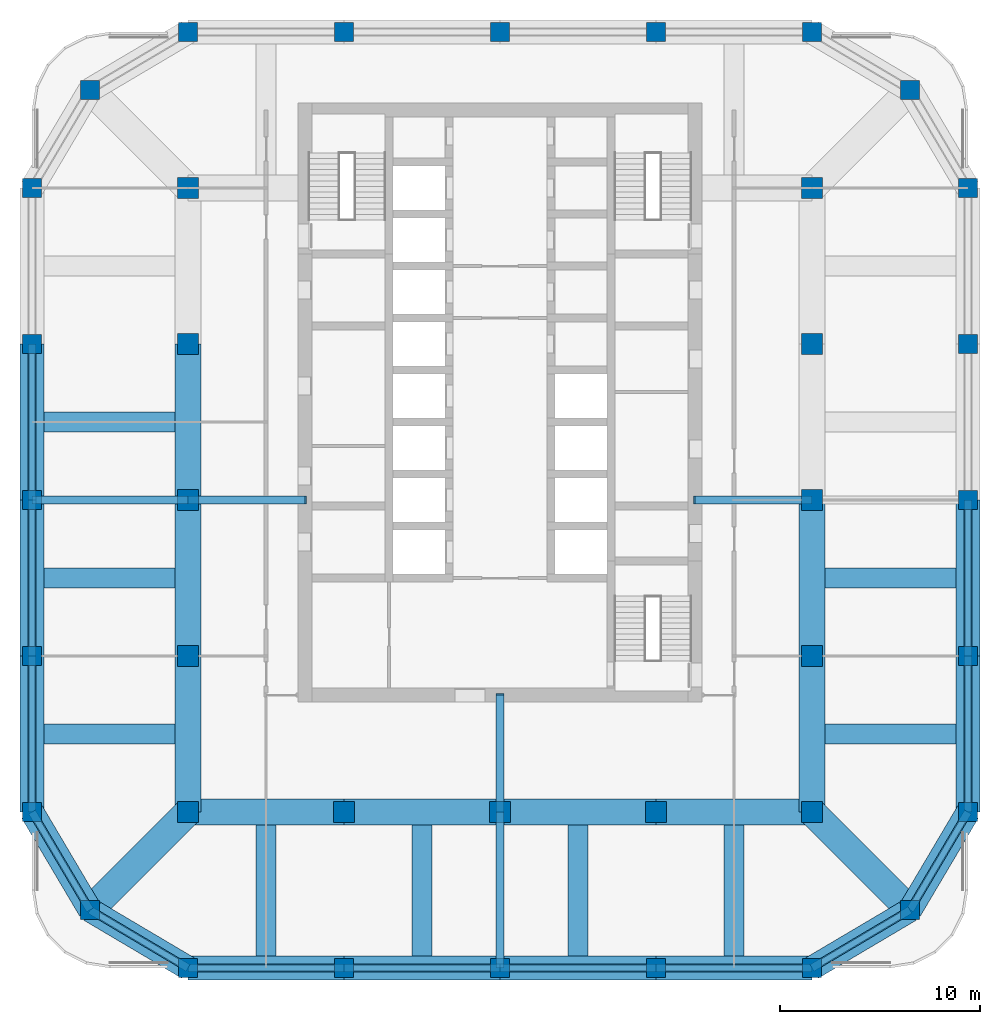
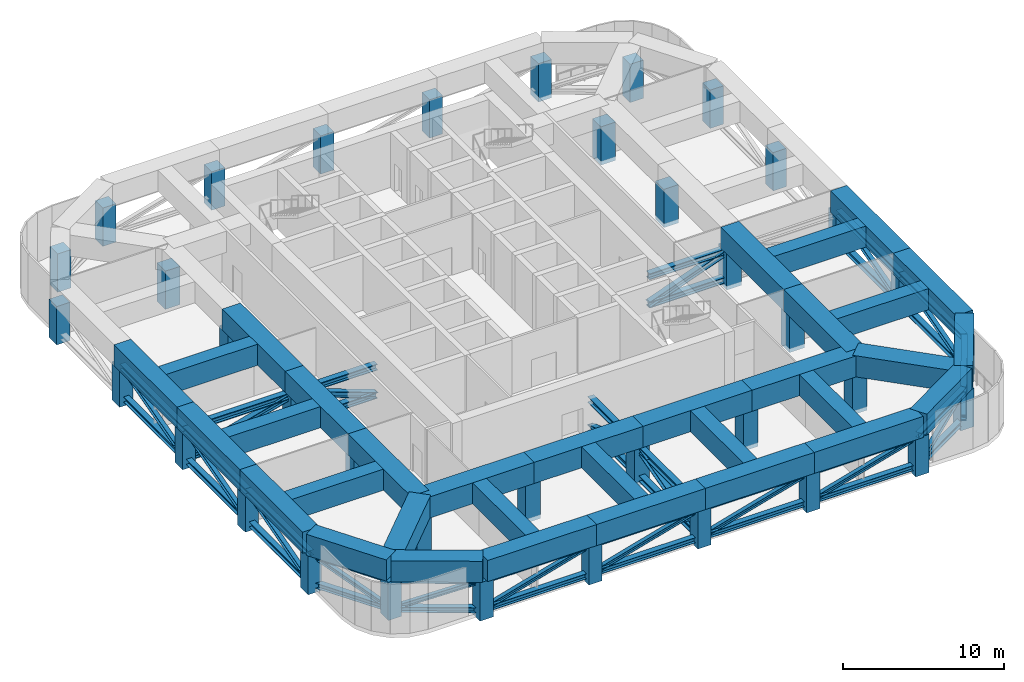
# One storey, part 1 of 9: 54 members, 37 columns, 33 beams.
"""IFC4 building model written with IfcOpenShell, lengths in metres."""

from ifc_helpers import new_model, si_unit, direction, frame, origin, origin_2d, place, context, subcontext, project, spatial, rectangle, i_section, extrude, material, material_profile, profile_set, type_object, element, save


model = new_model("IFC4")

# Units and contexts
model_context = context("Model", 3, precision=1e-05, world=origin(), true_north=direction((0.0, 1.0)))
body_context = subcontext(model_context, "Body", "Model", "MODEL_VIEW")
ifc_project = project(units=[si_unit("LENGTHUNIT", "METRE"), si_unit("AREAUNIT", "SQUARE_METRE"), si_unit("VOLUMEUNIT", "CUBIC_METRE"), si_unit("PLANEANGLEUNIT", "RADIAN"), si_unit("MASSUNIT", "GRAM", prefix="KILO")], contexts=[model_context])

# Site, building, storey
site_placement = place(None, origin())
site = spatial("IfcSite", under=ifc_project, at=site_placement, CompositionType="ELEMENT")
building_placement = place(site_placement, origin())
building = spatial("IfcBuilding", under=site, at=building_placement, Name="Ludao Terraces", CompositionType="ELEMENT")
storey_placement = place(building_placement, frame((0.0, 0.0, 95.39990234375)))
storey = spatial("IfcBuildingStorey", under=building, at=storey_placement, Name="L26", CompositionType="ELEMENT", Elevation=95.39990234375)

# Columns
ifc_material_1 = material(Name="Concrete C55", Category="concrete")
ifc_material_profile_1 = material_profile(ifc_material_1, rectangle(XDim=1.050048828125, YDim=1.050048828125, at=origin_2d()), Name="1050 X 1050")
ifc_profile_set_1 = profile_set([ifc_material_profile_1], Name="Concrete C55")
column_type_1 = type_object("IfcColumnType", Name="RC column 1050x1050 C55", PredefinedType="COLUMN", material=ifc_profile_set_1)
for number, where, z_axis, x_axis, name in (
    (1, (69.39990234375, 49.39990234375, -0.2998046875), (0.0, 0.0, 1.0), (1.0, 0.0, 0.0), "Column L26 S0078x0078"),
    (2, (69.39990234375, 57.199951171875, -0.2998046875), (0.0, 0.0, 1.0), (1.0, 0.0, 0.0), "Column L26 S0078x0156"),
    (3, (69.39990234375, 65.0, -0.2998046875), (0.0, 0.0, 1.0), (1.0, 0.0, 0.0), "Column L26 S0078x0234"),
    (4, (69.39990234375, 72.800048828125, -0.2998046875), (0.0, 0.0, 1.0), (1.0, 0.0, 0.0), "Column L26 S0078x0312"),
    (5, (69.39990234375, 80.60009765625, -0.2998046875), (0.0, 0.0, 1.0), (1.0, 0.0, 0.0), "Column L26 S0078x0390"),
    (6, (77.199951171875, 49.39990234375, -0.2998046875), (0.0, 0.0, 1.0), (1.0, 0.0, 0.0), "Column L26 S0156x0078"),
    (7, (85.0, 49.39990234375, -0.2998046875), (0.0, 0.0, 1.0), (1.0, 0.0, 0.0), "Column L26 S0234x0078"),
    (8, (92.800048828125, 49.39990234375, -0.2998046875), (0.0, 0.0, 1.0), (1.0, 0.0, 0.0), "Column L26 S0312x0078"),
    (9, (100.60009765625, 49.39990234375, -0.2998046875), (0.0, 0.0, 1.0), (1.0, 0.0, 0.0), "Column L26 S0390x0078"),
    (10, (100.60009765625, 57.199951171875, -0.2998046875), (0.0, 0.0, 1.0), (1.0, 0.0, 0.0), "Column L26 S0390x0156"),
    (11, (100.60009765625, 65.0, -0.2998046875), (0.0, 0.0, 1.0), (1.0, 0.0, 0.0), "Column L26 S0390x0234"),
    (12, (100.60009765625, 72.800048828125, -0.2998046875), (0.0, 0.0, 1.0), (1.0, 0.0, 0.0), "Column L26 S0390x0312"),
    (13, (100.60009765625, 80.60009765625, -0.2998046875), (0.0, 0.0, 1.0), (1.0, 0.0, 0.0), "Column L26 S0390x0390"),
):
    element("IfcColumn", number, at=place(storey_placement, frame(where, z_axis=z_axis, x_axis=x_axis)), inside=storey, type_object=column_type_1, Name=name, PredefinedType="COLUMN", context=body_context, shape_type="SweptSolid", body=[
        extrude(rectangle(XDim=1.050048828125, YDim=1.050048828125, at=origin_2d()), origin(), (0.0, 0.0, 1.0), 2.89990234375),
    ])
ifc_material_profile_2 = material_profile(ifc_material_1, rectangle(XDim=0.949951171875, YDim=0.949951171875, at=origin_2d()), Name="950 X 950")
ifc_profile_set_2 = profile_set([ifc_material_profile_2], Name="Concrete C55")
column_type_2 = type_object("IfcColumnType", Name="RC column 950x950 C55", PredefinedType="COLUMN", material=ifc_profile_set_2)
for number, where, z_axis, x_axis, name in (
    (14, (64.5, 44.5, -0.2998046875), (0.0, 0.0, 1.0), (1.0, 0.0, 0.0), "Column L26 C0029x0029"),
    (15, (105.5, 44.5, -0.2998046875), (0.0, 0.0, 1.0), (1.0, 0.0, 0.0), "Column L26 C0439x0029"),
    (16, (64.5, 85.5, -0.2998046875), (0.0, 0.0, 1.0), (1.0, 0.0, 0.0), "Column L26 C0029x0439"),
    (17, (105.5, 85.5, -0.2998046875), (0.0, 0.0, 1.0), (1.0, 0.0, 0.0), "Column L26 C0439x0439"),
    (18, (61.60009765625, 49.39990234375, -0.2998046875), (0.0, 0.0, 1.0), (1.0, 0.0, 0.0), "Column L26 F0000x0078"),
    (19, (108.39990234375, 49.39990234375, -0.2998046875), (0.0, 0.0, 1.0), (1.0, 0.0, 0.0), "Column L26 F0468x0078"),
    (20, (69.39990234375, 41.60009765625, -0.2998046875), (0.0, 0.0, 1.0), (1.0, 0.0, 0.0), "Column L26 F0078x0000"),
    (21, (69.39990234375, 88.39990234375, -0.2998046875), (0.0, 0.0, 1.0), (1.0, 0.0, 0.0), "Column L26 F0078x0468"),
    (22, (61.60009765625, 57.199951171875, -0.2998046875), (0.0, 0.0, 1.0), (1.0, 0.0, 0.0), "Column L26 F0000x0156"),
    (23, (108.39990234375, 57.199951171875, -0.2998046875), (0.0, 0.0, 1.0), (1.0, 0.0, 0.0), "Column L26 F0468x0156"),
    (24, (77.199951171875, 41.60009765625, -0.2998046875), (0.0, 0.0, 1.0), (1.0, 0.0, 0.0), "Column L26 F0156x0000"),
    (25, (77.199951171875, 88.39990234375, -0.2998046875), (0.0, 0.0, 1.0), (1.0, 0.0, 0.0), "Column L26 F0156x0468"),
    (26, (61.60009765625, 65.0, -0.2998046875), (0.0, 0.0, 1.0), (1.0, 0.0, 0.0), "Column L26 F0000x0234"),
    (27, (108.39990234375, 65.0, -0.2998046875), (0.0, 0.0, 1.0), (1.0, 0.0, 0.0), "Column L26 F0468x0234"),
    (28, (85.0, 41.60009765625, -0.2998046875), (0.0, 0.0, 1.0), (1.0, 0.0, 0.0), "Column L26 F0234x0000"),
    (29, (85.0, 88.39990234375, -0.2998046875), (0.0, 0.0, 1.0), (1.0, 0.0, 0.0), "Column L26 F0234x0468"),
    (30, (61.60009765625, 72.800048828125, -0.2998046875), (0.0, 0.0, 1.0), (1.0, 0.0, 0.0), "Column L26 F0000x0312"),
    (31, (108.39990234375, 72.800048828125, -0.2998046875), (0.0, 0.0, 1.0), (1.0, 0.0, 0.0), "Column L26 F0468x0312"),
    (32, (92.800048828125, 41.60009765625, -0.2998046875), (0.0, 0.0, 1.0), (1.0, 0.0, 0.0), "Column L26 F0312x0000"),
    (33, (92.800048828125, 88.39990234375, -0.2998046875), (0.0, 0.0, 1.0), (1.0, 0.0, 0.0), "Column L26 F0312x0468"),
    (34, (61.60009765625, 80.60009765625, -0.2998046875), (0.0, 0.0, 1.0), (1.0, 0.0, 0.0), "Column L26 F0000x0390"),
    (35, (108.39990234375, 80.60009765625, -0.2998046875), (0.0, 0.0, 1.0), (1.0, 0.0, 0.0), "Column L26 F0468x0390"),
    (36, (100.60009765625, 41.60009765625, -0.2998046875), (0.0, 0.0, 1.0), (1.0, 0.0, 0.0), "Column L26 F0390x0000"),
    (37, (100.60009765625, 88.39990234375, -0.2998046875), (0.0, 0.0, 1.0), (1.0, 0.0, 0.0), "Column L26 F0390x0468"),
):
    element("IfcColumn", number, at=place(storey_placement, frame(where, z_axis=z_axis, x_axis=x_axis)), inside=storey, type_object=column_type_2, Name=name, PredefinedType="COLUMN", context=body_context, shape_type="SweptSolid", body=[
        extrude(rectangle(XDim=0.949951171875, YDim=0.949951171875, at=origin_2d()), origin(), (0.0, 0.0, 1.0), 2.89990234375),
    ])

# Members
ifc_material_2 = material(Name="Steel Q355", Category="steel")
ifc_material_profile_3 = material_profile(ifc_material_2, i_section(OverallWidth=0.39990234375, OverallDepth=0.39990234375, WebThickness=0.012939453125, FlangeThickness=0.02099609375, at=origin_2d()), Name="HW 400X400X13X21")
ifc_profile_set_3 = profile_set([ifc_material_profile_3], Name="Steel Q355")
member_type_1 = type_object("IfcMemberType", Name="Belt truss chord HW 400x400x13x21 Q355", PredefinedType="CHORD", material=ifc_profile_set_3)
for number, where, z_axis, x_axis, name in (
    (38, (64.5, 44.5, 2.400146484375), (0.860579751256, -0.509315709288, 0.0), (0.509315709288, 0.860579751256, 0.0), "Truss chord L26 BT1T1"),
    (39, (64.5, 44.5, 0.2001953125), (0.860579751256, -0.509315709288, 0.0), (0.509315709288, 0.860579751256, 0.0), "Truss chord L26 BT1B1"),
):
    element("IfcMember", number, at=place(storey_placement, frame(where, z_axis=z_axis, x_axis=x_axis)), inside=storey, type_object=member_type_1, Name=name, PredefinedType="CHORD", context=body_context, shape_type="SweptSolid", body=[
        extrude(i_section(OverallWidth=0.39990234375, OverallDepth=0.39990234375, WebThickness=0.012939453125, FlangeThickness=0.02099609375, at=origin_2d()), origin(), (0.0, 0.0, 1.0), 5.693603515625),
    ])
for number, where, z_axis, x_axis, name in (
    (40, (69.39990234375, 41.60009765625, 2.400146484375), (1.0, 0.0, 0.0), (0.0, 1.0, 0.0), "Truss chord L26 BT2T1"),
    (41, (69.39990234375, 41.60009765625, 0.2001953125), (1.0, 0.0, 0.0), (0.0, 1.0, 0.0), "Truss chord L26 BT2B1"),
    (42, (77.199951171875, 41.60009765625, 2.400146484375), (1.0, 0.0, 0.0), (0.0, 1.0, 0.0), "Truss chord L26 BT3T1"),
    (43, (77.199951171875, 41.60009765625, 0.2001953125), (1.0, 0.0, 0.0), (0.0, 1.0, 0.0), "Truss chord L26 BT3B1"),
    (44, (85.0, 41.60009765625, 2.400146484375), (1.0, 0.0, 0.0), (0.0, 1.0, 0.0), "Truss chord L26 BT4T1"),
    (45, (85.0, 41.60009765625, 0.2001953125), (1.0, 0.0, 0.0), (0.0, 1.0, 0.0), "Truss chord L26 BT4B1"),
    (46, (92.800048828125, 41.60009765625, 2.400146484375), (1.0, 0.0, 0.0), (0.0, 1.0, 0.0), "Truss chord L26 BT5T1"),
    (47, (92.800048828125, 41.60009765625, 0.2001953125), (1.0, 0.0, 0.0), (0.0, 1.0, 0.0), "Truss chord L26 BT5B1"),
):
    element("IfcMember", number, at=place(storey_placement, frame(where, z_axis=z_axis, x_axis=x_axis)), inside=storey, type_object=member_type_1, Name=name, PredefinedType="CHORD", context=body_context, shape_type="SweptSolid", body=[
        extrude(i_section(OverallWidth=0.39990234375, OverallDepth=0.39990234375, WebThickness=0.012939453125, FlangeThickness=0.02099609375, at=origin_2d()), origin(), (0.0, 0.0, 1.0), 7.800048828125),
    ])
for number, where, z_axis, x_axis, name in (
    (48, (100.60009765625, 41.60009765625, 2.400146484375), (0.860579751256, 0.509315709288, 0.0), (-0.509315709288, 0.860579751256, 0.0), "Truss chord L26 BT6T1"),
    (49, (100.60009765625, 41.60009765625, 0.2001953125), (0.860579751256, 0.509315709288, 0.0), (-0.509315709288, 0.860579751256, 0.0), "Truss chord L26 BT6B1"),
    (50, (64.5, 44.5, 2.400146484375), (-0.509315709288, 0.860579751256, 0.0), (-0.860579751256, -0.509315709288, 0.0), "Truss chord L26 BT13T1"),
    (51, (64.5, 44.5, 0.2001953125), (-0.509315709288, 0.860579751256, 0.0), (-0.860579751256, -0.509315709288, 0.0), "Truss chord L26 BT13B1"),
):
    element("IfcMember", number, at=place(storey_placement, frame(where, z_axis=z_axis, x_axis=x_axis)), inside=storey, type_object=member_type_1, Name=name, PredefinedType="CHORD", context=body_context, shape_type="SweptSolid", body=[
        extrude(i_section(OverallWidth=0.39990234375, OverallDepth=0.39990234375, WebThickness=0.012939453125, FlangeThickness=0.02099609375, at=origin_2d()), origin(), (0.0, 0.0, 1.0), 5.693603515625),
    ])
for number, where, z_axis, x_axis, name in (
    (52, (61.60009765625, 49.39990234375, 2.400146484375), (0.0, 1.0, 0.0), (-1.0, 0.0, 0.0), "Truss chord L26 BT14T1"),
    (53, (61.60009765625, 49.39990234375, 0.2001953125), (0.0, 1.0, 0.0), (-1.0, 0.0, 0.0), "Truss chord L26 BT14B1"),
    (54, (61.60009765625, 57.199951171875, 2.400146484375), (0.0, 1.0, 0.0), (-1.0, 0.0, 0.0), "Truss chord L26 BT15T1"),
    (55, (61.60009765625, 57.199951171875, 0.2001953125), (0.0, 1.0, 0.0), (-1.0, 0.0, 0.0), "Truss chord L26 BT15B1"),
    (56, (61.60009765625, 65.0, 2.400146484375), (0.0, 1.0, 0.0), (-1.0, 0.0, 0.0), "Truss chord L26 BT16T1"),
    (57, (61.60009765625, 65.0, 0.2001953125), (0.0, 1.0, 0.0), (-1.0, 0.0, 0.0), "Truss chord L26 BT16B1"),
):
    element("IfcMember", number, at=place(storey_placement, frame(where, z_axis=z_axis, x_axis=x_axis)), inside=storey, type_object=member_type_1, Name=name, PredefinedType="CHORD", context=body_context, shape_type="SweptSolid", body=[
        extrude(i_section(OverallWidth=0.39990234375, OverallDepth=0.39990234375, WebThickness=0.012939453125, FlangeThickness=0.02099609375, at=origin_2d()), origin(), (0.0, 0.0, 1.0), 7.800048828125),
    ])
for number, where, z_axis, x_axis, name in (
    (58, (105.5, 44.5, 2.400146484375), (0.509315709288, 0.860579751256, 0.0), (-0.860579751256, 0.509315709288, 0.0), "Truss chord L26 BT19T1"),
    (59, (105.5, 44.5, 0.2001953125), (0.509315709288, 0.860579751256, 0.0), (-0.860579751256, 0.509315709288, 0.0), "Truss chord L26 BT19B1"),
):
    element("IfcMember", number, at=place(storey_placement, frame(where, z_axis=z_axis, x_axis=x_axis)), inside=storey, type_object=member_type_1, Name=name, PredefinedType="CHORD", context=body_context, shape_type="SweptSolid", body=[
        extrude(i_section(OverallWidth=0.39990234375, OverallDepth=0.39990234375, WebThickness=0.012939453125, FlangeThickness=0.02099609375, at=origin_2d()), origin(), (0.0, 0.0, 1.0), 5.693603515625),
    ])
for number, where, z_axis, x_axis, name in (
    (60, (108.39990234375, 49.39990234375, 2.400146484375), (0.0, 1.0, 0.0), (-1.0, 0.0, 0.0), "Truss chord L26 BT20T1"),
    (61, (108.39990234375, 49.39990234375, 0.2001953125), (0.0, 1.0, 0.0), (-1.0, 0.0, 0.0), "Truss chord L26 BT20B1"),
    (62, (108.39990234375, 57.199951171875, 2.400146484375), (0.0, 1.0, 0.0), (-1.0, 0.0, 0.0), "Truss chord L26 BT21T1"),
    (63, (108.39990234375, 57.199951171875, 0.2001953125), (0.0, 1.0, 0.0), (-1.0, 0.0, 0.0), "Truss chord L26 BT21B1"),
):
    element("IfcMember", number, at=place(storey_placement, frame(where, z_axis=z_axis, x_axis=x_axis)), inside=storey, type_object=member_type_1, Name=name, PredefinedType="CHORD", context=body_context, shape_type="SweptSolid", body=[
        extrude(i_section(OverallWidth=0.39990234375, OverallDepth=0.39990234375, WebThickness=0.012939453125, FlangeThickness=0.02099609375, at=origin_2d()), origin(), (0.0, 0.0, 1.0), 7.800048828125),
    ])
ifc_material_profile_4 = material_profile(ifc_material_2, i_section(OverallWidth=0.300048828125, OverallDepth=0.300048828125, WebThickness=0.010009765625, FlangeThickness=0.014892578125, at=origin_2d()), Name="HW 300X300X10X15")
ifc_profile_set_4 = profile_set([ifc_material_profile_4], Name="Steel Q355")
member_type_2 = type_object("IfcMemberType", Name="Belt truss diagonal HW 300x300x10x15 Q355", PredefinedType="BRACE", material=ifc_profile_set_4)
member_1_placement = place(storey_placement, frame((64.5, 44.5, 0.2001953125), z_axis=(0.802742265641, -0.475085831155, 0.36041407851), x_axis=(0.509315709288, 0.860579751256, 0.0)))
element("IfcMember", 64, at=member_1_placement, inside=storey, type_object=member_type_2, Name="Truss diagonal L26 BT11", PredefinedType="BRACE", context=body_context, shape_type="SweptSolid", body=[
    extrude(i_section(OverallWidth=0.300048828125, OverallDepth=0.300048828125, WebThickness=0.010009765625, FlangeThickness=0.014892578125, at=origin_2d()), origin(), (0.0, 0.0, 1.0), 6.10400390625),
])
for number, where, z_axis, x_axis, name in (
    (65, (69.39990234375, 41.60009765625, 0.2001953125), (0.962451694053, 0.0, 0.271453009957), (0.0, 1.0, 0.0), "Truss diagonal L26 BT21"),
    (66, (77.199951171875, 41.60009765625, 0.2001953125), (0.962451694053, 0.0, 0.271453009957), (0.0, 1.0, 0.0), "Truss diagonal L26 BT31"),
    (67, (85.0, 41.60009765625, 0.2001953125), (0.962451694053, 0.0, 0.271453009957), (0.0, 1.0, 0.0), "Truss diagonal L26 BT41"),
    (68, (92.800048828125, 41.60009765625, 0.2001953125), (0.962451694053, 0.0, 0.271453009957), (0.0, 1.0, 0.0), "Truss diagonal L26 BT51"),
):
    element("IfcMember", number, at=place(storey_placement, frame(where, z_axis=z_axis, x_axis=x_axis)), inside=storey, type_object=member_type_2, Name=name, PredefinedType="BRACE", context=body_context, shape_type="SweptSolid", body=[
        extrude(i_section(OverallWidth=0.300048828125, OverallDepth=0.300048828125, WebThickness=0.010009765625, FlangeThickness=0.014892578125, at=origin_2d()), origin(), (0.0, 0.0, 1.0), 8.104248046875),
    ])
for number, where, z_axis, x_axis, name in (
    (69, (100.60009765625, 41.60009765625, 0.2001953125), (0.802742265641, 0.475085831155, 0.36041407851), (-0.509315709288, 0.860579751256, 0.0), "Truss diagonal L26 BT61"),
    (70, (64.5, 44.5, 0.2001953125), (-0.475085831155, 0.802742265641, 0.36041407851), (-0.860579751256, -0.509315709288, 0.0), "Truss diagonal L26 BT131"),
):
    element("IfcMember", number, at=place(storey_placement, frame(where, z_axis=z_axis, x_axis=x_axis)), inside=storey, type_object=member_type_2, Name=name, PredefinedType="BRACE", context=body_context, shape_type="SweptSolid", body=[
        extrude(i_section(OverallWidth=0.300048828125, OverallDepth=0.300048828125, WebThickness=0.010009765625, FlangeThickness=0.014892578125, at=origin_2d()), origin(), (0.0, 0.0, 1.0), 6.10400390625),
    ])
for number, where, z_axis, x_axis, name in (
    (71, (61.60009765625, 49.39990234375, 0.2001953125), (0.0, 0.962451694053, 0.271453009957), (-1.0, 0.0, 0.0), "Truss diagonal L26 BT141"),
    (72, (61.60009765625, 57.199951171875, 0.2001953125), (0.0, 0.962451694053, 0.271453009957), (-1.0, 0.0, 0.0), "Truss diagonal L26 BT151"),
    (73, (61.60009765625, 65.0, 0.2001953125), (0.0, 0.962451694053, 0.271453009957), (-1.0, 0.0, 0.0), "Truss diagonal L26 BT161"),
):
    element("IfcMember", number, at=place(storey_placement, frame(where, z_axis=z_axis, x_axis=x_axis)), inside=storey, type_object=member_type_2, Name=name, PredefinedType="BRACE", context=body_context, shape_type="SweptSolid", body=[
        extrude(i_section(OverallWidth=0.300048828125, OverallDepth=0.300048828125, WebThickness=0.010009765625, FlangeThickness=0.014892578125, at=origin_2d()), origin(), (0.0, 0.0, 1.0), 8.104248046875),
    ])
member_2_placement = place(storey_placement, frame((105.5, 44.5, 0.2001953125), z_axis=(0.475085831155, 0.802742265641, 0.36041407851), x_axis=(-0.860579751256, 0.509315709288, 0.0)))
element("IfcMember", 74, at=member_2_placement, inside=storey, type_object=member_type_2, Name="Truss diagonal L26 BT191", PredefinedType="BRACE", context=body_context, shape_type="SweptSolid", body=[
    extrude(i_section(OverallWidth=0.300048828125, OverallDepth=0.300048828125, WebThickness=0.010009765625, FlangeThickness=0.014892578125, at=origin_2d()), origin(), (0.0, 0.0, 1.0), 6.10400390625),
])
for number, where, z_axis, x_axis, name in (
    (75, (108.39990234375, 49.39990234375, 0.2001953125), (0.0, 0.962451694053, 0.271453009957), (-1.0, 0.0, 0.0), "Truss diagonal L26 BT201"),
    (76, (108.39990234375, 57.199951171875, 0.2001953125), (0.0, 0.962451694053, 0.271453009957), (-1.0, 0.0, 0.0), "Truss diagonal L26 BT211"),
):
    element("IfcMember", number, at=place(storey_placement, frame(where, z_axis=z_axis, x_axis=x_axis)), inside=storey, type_object=member_type_2, Name=name, PredefinedType="BRACE", context=body_context, shape_type="SweptSolid", body=[
        extrude(i_section(OverallWidth=0.300048828125, OverallDepth=0.300048828125, WebThickness=0.010009765625, FlangeThickness=0.014892578125, at=origin_2d()), origin(), (0.0, 0.0, 1.0), 8.104248046875),
    ])
ifc_material_profile_5 = material_profile(ifc_material_2, i_section(OverallWidth=0.4169921875, OverallDepth=0.4580078125, WebThickness=0.030029296875, FlangeThickness=0.050048828125, at=origin_2d()), Name="HW 458X417X30X50")
ifc_profile_set_5 = profile_set([ifc_material_profile_5], Name="Steel Q355")
member_type_3 = type_object("IfcMemberType", Name="Outrigger chord HW 458x417x30x50 Q355", PredefinedType="CHORD", material=ifc_profile_set_5)
for number, where, z_axis, x_axis, name in (
    (77, (75.25, 65.0, 2.37109375), (-1.0, 0.0, 0.0), (0.0, -1.0, 0.0), "Truss chord L26 ORWT1"),
    (78, (75.25, 65.0, 0.22900390625), (-1.0, 0.0, 0.0), (0.0, -1.0, 0.0), "Truss chord L26 ORWB1"),
):
    element("IfcMember", number, at=place(storey_placement, frame(where, z_axis=z_axis, x_axis=x_axis)), inside=storey, type_object=member_type_3, Name=name, PredefinedType="CHORD", context=body_context, shape_type="SweptSolid", body=[
        extrude(i_section(OverallWidth=0.4169921875, OverallDepth=0.4580078125, WebThickness=0.030029296875, FlangeThickness=0.050048828125, at=origin_2d()), origin(), (0.0, 0.0, 1.0), 5.85009765625),
    ])
for number, where, z_axis, x_axis, name in (
    (79, (69.39990234375, 65.0, 2.37109375), (-1.0, 0.0, 0.0), (0.0, -1.0, 0.0), "Truss chord L26 ORWT2"),
    (80, (69.39990234375, 65.0, 0.22900390625), (-1.0, 0.0, 0.0), (0.0, -1.0, 0.0), "Truss chord L26 ORWB2"),
):
    element("IfcMember", number, at=place(storey_placement, frame(where, z_axis=z_axis, x_axis=x_axis)), inside=storey, type_object=member_type_3, Name=name, PredefinedType="CHORD", context=body_context, shape_type="SweptSolid", body=[
        extrude(i_section(OverallWidth=0.4169921875, OverallDepth=0.4580078125, WebThickness=0.030029296875, FlangeThickness=0.050048828125, at=origin_2d()), origin(), (0.0, 0.0, 1.0), 7.7998046875),
    ])
for number, where, z_axis, x_axis, name in (
    (81, (94.75, 65.0, 2.37109375), (1.0, 0.0, 0.0), (0.0, 1.0, 0.0), "Truss chord L26 ORET1"),
    (82, (94.75, 65.0, 0.22900390625), (1.0, 0.0, 0.0), (0.0, 1.0, 0.0), "Truss chord L26 OREB1"),
    (83, (85.0, 55.25, 2.37109375), (0.0, -1.0, 0.0), (1.0, 0.0, 0.0), "Truss chord L26 ORST1"),
    (84, (85.0, 55.25, 0.22900390625), (0.0, -1.0, 0.0), (1.0, 0.0, 0.0), "Truss chord L26 ORSB1"),
):
    element("IfcMember", number, at=place(storey_placement, frame(where, z_axis=z_axis, x_axis=x_axis)), inside=storey, type_object=member_type_3, Name=name, PredefinedType="CHORD", context=body_context, shape_type="SweptSolid", body=[
        extrude(i_section(OverallWidth=0.4169921875, OverallDepth=0.4580078125, WebThickness=0.030029296875, FlangeThickness=0.050048828125, at=origin_2d()), origin(), (0.0, 0.0, 1.0), 5.85009765625),
    ])
for number, where, z_axis, x_axis, name in (
    (85, (85.0, 49.39990234375, 2.37109375), (0.0, -1.0, 0.0), (1.0, 0.0, 0.0), "Truss chord L26 ORST2"),
    (86, (85.0, 49.39990234375, 0.22900390625), (0.0, -1.0, 0.0), (1.0, 0.0, 0.0), "Truss chord L26 ORSB2"),
):
    element("IfcMember", number, at=place(storey_placement, frame(where, z_axis=z_axis, x_axis=x_axis)), inside=storey, type_object=member_type_3, Name=name, PredefinedType="CHORD", context=body_context, shape_type="SweptSolid", body=[
        extrude(i_section(OverallWidth=0.4169921875, OverallDepth=0.4580078125, WebThickness=0.030029296875, FlangeThickness=0.050048828125, at=origin_2d()), origin(), (0.0, 0.0, 1.0), 7.7998046875),
    ])
ifc_material_profile_6 = material_profile(ifc_material_2, i_section(OverallWidth=0.405029296875, OverallDepth=0.4140625, WebThickness=0.01806640625, FlangeThickness=0.028076171875, at=origin_2d()), Name="HW 414X405X18X28")
ifc_profile_set_6 = profile_set([ifc_material_profile_6], Name="Steel Q355")
member_type_4 = type_object("IfcMemberType", Name="Outrigger diagonal HW 414x405x18x28 Q355", PredefinedType="BRACE", material=ifc_profile_set_6)
member_3_placement = place(storey_placement, frame((75.25, 65.0, 0.22900390625), z_axis=(-0.939029061405, 0.0, 0.34383778419), x_axis=(0.0, -1.0, 0.0)))
element("IfcMember", 87, at=member_3_placement, inside=storey, type_object=member_type_4, Name="Truss diagonal L26 ORW1", PredefinedType="BRACE", context=body_context, shape_type="SweptSolid", body=[
    extrude(i_section(OverallWidth=0.405029296875, OverallDepth=0.4140625, WebThickness=0.01806640625, FlangeThickness=0.028076171875, at=origin_2d()), origin(), (0.0, 0.0, 1.0), 6.22998046875),
])
member_4_placement = place(storey_placement, frame((69.39990234375, 65.0, 2.37109375), z_axis=(-0.964295623692, 0.0, -0.264828152068), x_axis=(0.0, -1.0, 0.0)))
element("IfcMember", 88, at=member_4_placement, inside=storey, type_object=member_type_4, Name="Truss diagonal L26 ORW2", PredefinedType="BRACE", context=body_context, shape_type="SweptSolid", body=[
    extrude(i_section(OverallWidth=0.405029296875, OverallDepth=0.4140625, WebThickness=0.01806640625, FlangeThickness=0.028076171875, at=origin_2d()), origin(), (0.0, 0.0, 1.0), 8.088623046875),
])
for number, where, z_axis, x_axis, name in (
    (89, (94.75, 65.0, 0.22900390625), (0.939029061405, 0.0, 0.34383778419), (0.0, 1.0, 0.0), "Truss diagonal L26 ORE1"),
    (90, (85.0, 55.25, 0.22900390625), (0.0, -0.939029061405, 0.34383778419), (1.0, 0.0, 0.0), "Truss diagonal L26 ORS1"),
):
    element("IfcMember", number, at=place(storey_placement, frame(where, z_axis=z_axis, x_axis=x_axis)), inside=storey, type_object=member_type_4, Name=name, PredefinedType="BRACE", context=body_context, shape_type="SweptSolid", body=[
        extrude(i_section(OverallWidth=0.405029296875, OverallDepth=0.4140625, WebThickness=0.01806640625, FlangeThickness=0.028076171875, at=origin_2d()), origin(), (0.0, 0.0, 1.0), 6.22998046875),
    ])
member_5_placement = place(storey_placement, frame((85.0, 49.39990234375, 2.37109375), z_axis=(0.0, -0.964295623692, -0.264828152068), x_axis=(1.0, 0.0, 0.0)))
element("IfcMember", 91, at=member_5_placement, inside=storey, type_object=member_type_4, Name="Truss diagonal L26 ORS2", PredefinedType="BRACE", context=body_context, shape_type="SweptSolid", body=[
    extrude(i_section(OverallWidth=0.405029296875, OverallDepth=0.4140625, WebThickness=0.01806640625, FlangeThickness=0.028076171875, at=origin_2d()), origin(), (0.0, 0.0, 1.0), 8.088623046875),
])

# Beams
ifc_material_3 = material(Name="Concrete C60", Category="concrete")
ifc_material_profile_7 = material_profile(ifc_material_3, rectangle(XDim=1.0, YDim=1.60009765625, at=origin_2d()), Name="1000 X 1600")
ifc_profile_set_7 = profile_set([ifc_material_profile_7], Name="Concrete C60")
beam_type_1 = type_object("IfcBeamType", Name="RC beam 1000x1600 C60", PredefinedType="BEAM", material=ifc_profile_set_7)
for number, where, z_axis, x_axis, name in (
    (92, (62.199951171875, 53.300048828125, 3.400146484375), (1.0, 0.0, 0.0), (0.0, 1.0, 0.0), "Transfer girder L26 secondary W 1"),
    (93, (107.800048828125, 53.300048828125, 3.400146484375), (-1.0, 0.0, 0.0), (0.0, -1.0, 0.0), "Transfer girder L26 secondary E 2"),
    (94, (73.300048828125, 42.199951171875, 3.400146484375), (0.0, 1.0, 0.0), (-1.0, 0.0, 0.0), "Transfer girder L26 secondary S 3"),
    (95, (62.199951171875, 61.10009765625, 3.400146484375), (1.0, 0.0, 0.0), (0.0, 1.0, 0.0), "Transfer girder L26 secondary W 5"),
    (96, (107.800048828125, 61.10009765625, 3.400146484375), (-1.0, 0.0, 0.0), (0.0, -1.0, 0.0), "Transfer girder L26 secondary E 6"),
    (97, (81.10009765625, 42.199951171875, 3.400146484375), (0.0, 1.0, 0.0), (-1.0, 0.0, 0.0), "Transfer girder L26 secondary S 7"),
    (98, (62.199951171875, 68.89990234375, 3.400146484375), (1.0, 0.0, 0.0), (0.0, 1.0, 0.0), "Transfer girder L26 secondary W 8"),
    (99, (88.89990234375, 42.199951171875, 3.400146484375), (0.0, 1.0, 0.0), (-1.0, 0.0, 0.0), "Transfer girder L26 secondary S 10"),
    (100, (96.699951171875, 42.199951171875, 3.400146484375), (0.0, 1.0, 0.0), (-1.0, 0.0, 0.0), "Transfer girder L26 secondary S 13"),
):
    element("IfcBeam", number, at=place(storey_placement, frame(where, z_axis=z_axis, x_axis=x_axis)), inside=storey, type_object=beam_type_1, Name=name, PredefinedType="BEAM", context=body_context, shape_type="SweptSolid", body=[
        extrude(rectangle(XDim=1.0, YDim=1.60009765625, at=origin_2d()), origin(), (0.0, 0.0, 1.0), 6.550048828125),
    ])
ifc_material_profile_8 = material_profile(ifc_material_3, rectangle(XDim=1.199951171875, YDim=1.60009765625, at=origin_2d()), Name="1200 X 1600")
ifc_profile_set_8 = profile_set([ifc_material_profile_8], Name="Concrete C60")
beam_type_2 = type_object("IfcBeamType", Name="RC beam 1200x1600 C60", PredefinedType="BEAM", material=ifc_profile_set_8)
beam_1_placement = place(storey_placement, frame((64.5, 44.5, 3.400146484375), z_axis=(0.860579751256, -0.509315709288, 0.0), x_axis=(0.509315709288, 0.860579751256, 0.0)))
element("IfcBeam", 101, at=beam_1_placement, inside=storey, type_object=beam_type_2, Name="Transfer girder L26 face S 1", PredefinedType="BEAM", context=body_context, shape_type="SweptSolid", body=[
    extrude(rectangle(XDim=1.199951171875, YDim=1.60009765625, at=origin_2d()), origin(), (0.0, 0.0, 1.0), 5.693603515625),
])
for number, where, z_axis, x_axis, name in (
    (102, (69.39990234375, 41.60009765625, 3.400146484375), (1.0, 0.0, 0.0), (0.0, 1.0, 0.0), "Transfer girder L26 face S 2"),
    (103, (77.199951171875, 41.60009765625, 3.400146484375), (1.0, 0.0, 0.0), (0.0, 1.0, 0.0), "Transfer girder L26 face S 3"),
    (104, (85.0, 41.60009765625, 3.400146484375), (1.0, 0.0, 0.0), (0.0, 1.0, 0.0), "Transfer girder L26 face S 4"),
    (105, (92.800048828125, 41.60009765625, 3.400146484375), (1.0, 0.0, 0.0), (0.0, 1.0, 0.0), "Transfer girder L26 face S 5"),
):
    element("IfcBeam", number, at=place(storey_placement, frame(where, z_axis=z_axis, x_axis=x_axis)), inside=storey, type_object=beam_type_2, Name=name, PredefinedType="BEAM", context=body_context, shape_type="SweptSolid", body=[
        extrude(rectangle(XDim=1.199951171875, YDim=1.60009765625, at=origin_2d()), origin(), (0.0, 0.0, 1.0), 7.800048828125),
    ])
for number, where, z_axis, x_axis, name in (
    (106, (100.60009765625, 41.60009765625, 3.400146484375), (0.860579751256, 0.509315709288, 0.0), (-0.509315709288, 0.860579751256, 0.0), "Transfer girder L26 face S 6"),
    (107, (64.5, 44.5, 3.400146484375), (-0.509315709288, 0.860579751256, 0.0), (-0.860579751256, -0.509315709288, 0.0), "Transfer girder L26 face W 13"),
):
    element("IfcBeam", number, at=place(storey_placement, frame(where, z_axis=z_axis, x_axis=x_axis)), inside=storey, type_object=beam_type_2, Name=name, PredefinedType="BEAM", context=body_context, shape_type="SweptSolid", body=[
        extrude(rectangle(XDim=1.199951171875, YDim=1.60009765625, at=origin_2d()), origin(), (0.0, 0.0, 1.0), 5.693603515625),
    ])
for number, where, z_axis, x_axis, name in (
    (108, (61.60009765625, 49.39990234375, 3.400146484375), (0.0, 1.0, 0.0), (-1.0, 0.0, 0.0), "Transfer girder L26 face W 14"),
    (109, (61.60009765625, 57.199951171875, 3.400146484375), (0.0, 1.0, 0.0), (-1.0, 0.0, 0.0), "Transfer girder L26 face W 15"),
    (110, (61.60009765625, 65.0, 3.400146484375), (0.0, 1.0, 0.0), (-1.0, 0.0, 0.0), "Transfer girder L26 face W 16"),
):
    element("IfcBeam", number, at=place(storey_placement, frame(where, z_axis=z_axis, x_axis=x_axis)), inside=storey, type_object=beam_type_2, Name=name, PredefinedType="BEAM", context=body_context, shape_type="SweptSolid", body=[
        extrude(rectangle(XDim=1.199951171875, YDim=1.60009765625, at=origin_2d()), origin(), (0.0, 0.0, 1.0), 7.800048828125),
    ])
beam_2_placement = place(storey_placement, frame((105.5, 44.5, 3.400146484375), z_axis=(0.509315709288, 0.860579751256, 0.0), x_axis=(-0.860579751256, 0.509315709288, 0.0)))
element("IfcBeam", 111, at=beam_2_placement, inside=storey, type_object=beam_type_2, Name="Transfer girder L26 face E 19", PredefinedType="BEAM", context=body_context, shape_type="SweptSolid", body=[
    extrude(rectangle(XDim=1.199951171875, YDim=1.60009765625, at=origin_2d()), origin(), (0.0, 0.0, 1.0), 5.693603515625),
])
for number, where, z_axis, x_axis, name in (
    (112, (108.39990234375, 49.39990234375, 3.400146484375), (0.0, 1.0, 0.0), (-1.0, 0.0, 0.0), "Transfer girder L26 face E 20"),
    (113, (108.39990234375, 57.199951171875, 3.400146484375), (0.0, 1.0, 0.0), (-1.0, 0.0, 0.0), "Transfer girder L26 face E 21"),
):
    element("IfcBeam", number, at=place(storey_placement, frame(where, z_axis=z_axis, x_axis=x_axis)), inside=storey, type_object=beam_type_2, Name=name, PredefinedType="BEAM", context=body_context, shape_type="SweptSolid", body=[
        extrude(rectangle(XDim=1.199951171875, YDim=1.60009765625, at=origin_2d()), origin(), (0.0, 0.0, 1.0), 7.800048828125),
    ])
ifc_material_profile_9 = material_profile(ifc_material_3, rectangle(XDim=1.300048828125, YDim=1.60009765625, at=origin_2d()), Name="1300 X 1600")
ifc_profile_set_9 = profile_set([ifc_material_profile_9], Name="Concrete C60")
beam_type_3 = type_object("IfcBeamType", Name="RC beam 1300x1600 C60", PredefinedType="BEAM", material=ifc_profile_set_9)
for number, where, z_axis, x_axis, name in (
    (114, (69.39990234375, 49.39990234375, 3.400146484375), (1.0, 0.0, 0.0), (0.0, 1.0, 0.0), "Transfer girder L26 second row 1"),
    (115, (69.39990234375, 49.39990234375, 3.400146484375), (0.0, 1.0, 0.0), (-1.0, 0.0, 0.0), "Transfer girder L26 second row 2"),
    (116, (69.39990234375, 57.199951171875, 3.400146484375), (0.0, 1.0, 0.0), (-1.0, 0.0, 0.0), "Transfer girder L26 second row 3"),
    (117, (69.39990234375, 65.0, 3.400146484375), (0.0, 1.0, 0.0), (-1.0, 0.0, 0.0), "Transfer girder L26 second row 4"),
    (118, (77.199951171875, 49.39990234375, 3.400146484375), (1.0, 0.0, 0.0), (0.0, 1.0, 0.0), "Transfer girder L26 second row 6"),
    (119, (85.0, 49.39990234375, 3.400146484375), (1.0, 0.0, 0.0), (0.0, 1.0, 0.0), "Transfer girder L26 second row 7"),
    (120, (92.800048828125, 49.39990234375, 3.400146484375), (1.0, 0.0, 0.0), (0.0, 1.0, 0.0), "Transfer girder L26 second row 8"),
    (121, (100.60009765625, 49.39990234375, 3.400146484375), (0.0, 1.0, 0.0), (-1.0, 0.0, 0.0), "Transfer girder L26 second row 9"),
    (122, (100.60009765625, 57.199951171875, 3.400146484375), (0.0, 1.0, 0.0), (-1.0, 0.0, 0.0), "Transfer girder L26 second row 10"),
):
    element("IfcBeam", number, at=place(storey_placement, frame(where, z_axis=z_axis, x_axis=x_axis)), inside=storey, type_object=beam_type_3, Name=name, PredefinedType="BEAM", context=body_context, shape_type="SweptSolid", body=[
        extrude(rectangle(XDim=1.300048828125, YDim=1.60009765625, at=origin_2d()), origin(), (0.0, 0.0, 1.0), 7.800048828125),
    ])
ifc_material_profile_10 = material_profile(ifc_material_3, rectangle(XDim=1.39990234375, YDim=1.60009765625, at=origin_2d()), Name="1400 X 1600")
ifc_profile_set_10 = profile_set([ifc_material_profile_10], Name="Concrete C60")
beam_type_4 = type_object("IfcBeamType", Name="RC beam 1400x1600 C60", PredefinedType="BEAM", material=ifc_profile_set_10)
for number, where, z_axis, x_axis, name in (
    (123, (64.5, 44.5, 3.400146484375), (0.707106781187, 0.707106781187, 0.0), (-0.707106781187, 0.707106781187, 0.0), "Transfer girder L26 corner SW"),
    (124, (105.5, 44.5, 3.400146484375), (-0.707106781187, 0.707106781187, 0.0), (-0.707106781187, -0.707106781187, 0.0), "Transfer girder L26 corner SE"),
):
    element("IfcBeam", number, at=place(storey_placement, frame(where, z_axis=z_axis, x_axis=x_axis)), inside=storey, type_object=beam_type_4, Name=name, PredefinedType="BEAM", context=body_context, shape_type="SweptSolid", body=[
        extrude(rectangle(XDim=1.39990234375, YDim=1.60009765625, at=origin_2d()), origin(), (0.0, 0.0, 1.0), 6.929443359375),
    ])

save(model, "model.ifc")
